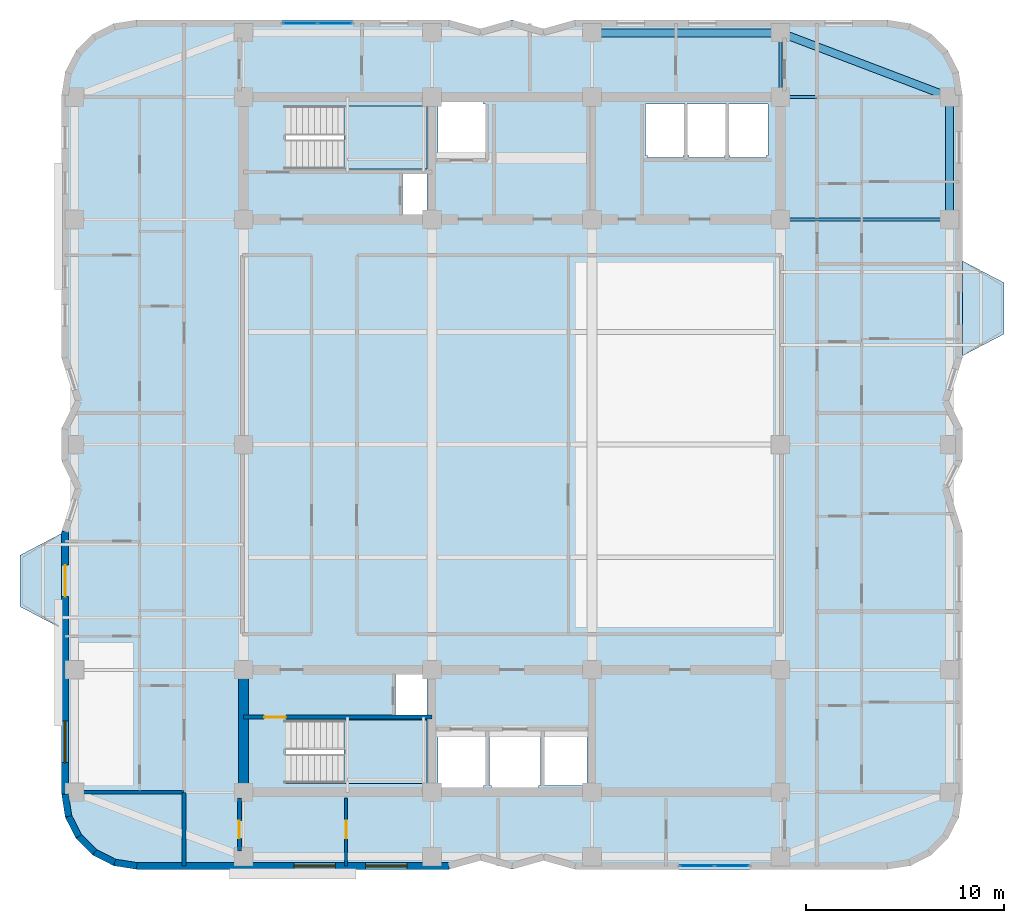
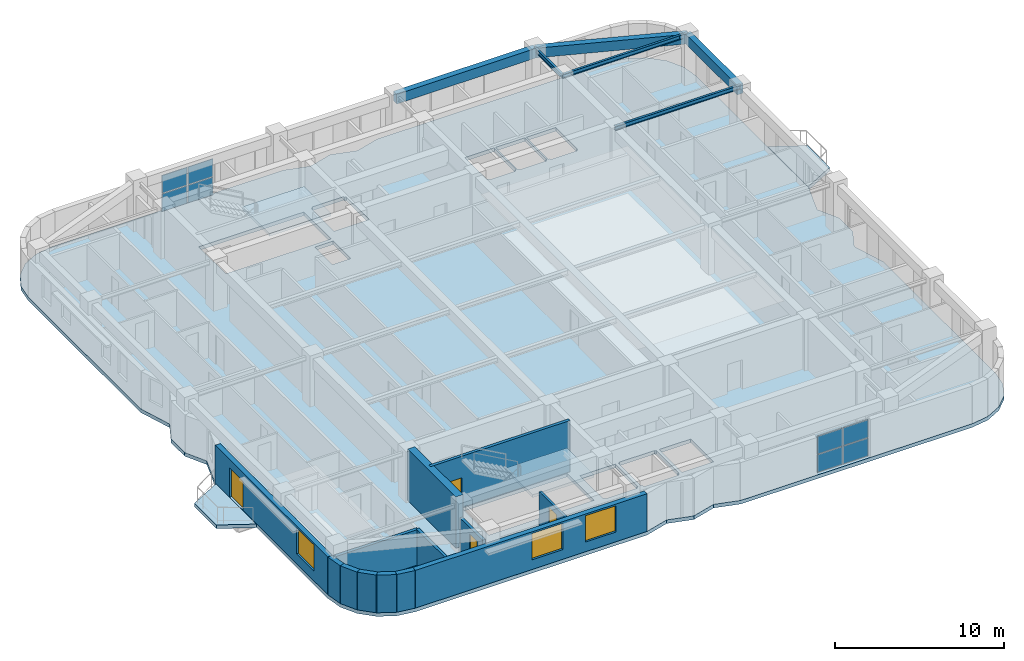
# One storey, part 4 of 12: 13 walls, 8 plates, 6 beams, 5 slabs, 4 doors, 3 windows, 7 openings, 4 elements without a shape of their own.
"""IFC4 building model written with IfcOpenShell, lengths in metres."""

import ifcopenshell
import ifcopenshell.guid

model = None  # the IFC model being written
_history = None  # IfcOwnerHistory: only IFC2X3 demands one
_inside = {}  # id of a spatial element -> (the spatial element, [elements in it])
_under = {}  # id of a project, library or spatial element -> (it, [spatial elements below it])
_declared = {}  # id of a project -> (the project, [libraries it declares])
_typed = {}  # id of a type object -> (the type object, [elements of that type])
_made_of = {}  # id of a material, layer set ... -> (it, [elements and type objects made of it])


def new_model(schema):
    """Start an empty IFC model of exactly this schema.

    Asked for "IFC4X3", IfcOpenShell would pick the latest addendum, in which some entities
    have other attributes; the version numbers below select the first issue.
    IFC2X3 requires an IfcOwnerHistory on every rooted entity: one is made here for all.
    """
    global model, _history
    if schema == "IFC4X3":
        model = ifcopenshell.file(schema_version=(4, 3, 0, 0))
    else:
        model = ifcopenshell.file(schema=schema)
    _inside.clear()
    _under.clear()
    _declared.clear()
    _typed.clear()
    _made_of.clear()
    _history = None
    if model.schema == "IFC2X3":
        org = make("IfcOrganization", Name="unknown")
        user = make(
            "IfcPersonAndOrganization",
            ThePerson=make("IfcPerson", FamilyName="unknown"),
            TheOrganization=org,
        )
        app = make(
            "IfcApplication",
            ApplicationDeveloper=org,
            Version="unknown",
            ApplicationFullName="unknown",
            ApplicationIdentifier="unknown",
        )
        _history = make(
            "IfcOwnerHistory",
            OwningUser=user,
            OwningApplication=app,
            ChangeAction="ADDED",
            CreationDate=0,
        )
    return model


def make(cls, **values):
    """One entity of the class cls with the attributes given. An attribute that is None is left unset."""
    return model.create_entity(
        cls, **{name: value for name, value in values.items() if value is not None}
    )


def rooted(cls, **values):
    """An entity with a GlobalId (a new one), such as an element, a storey or a relation."""
    return make(cls, GlobalId=ifcopenshell.guid.new(), OwnerHistory=_history, **values)


def si_unit(unit_type, name, prefix=None):
    """IfcSIUnit, for example si_unit("LENGTHUNIT", "METRE", prefix="MILLI")."""
    return make("IfcSIUnit", UnitType=unit_type, Prefix=prefix, Name=name)


def assignment(units):
    """IfcUnitAssignment: the units of a project."""
    return None if units is None else make("IfcUnitAssignment", Units=units)


def point(xyz):
    """IfcCartesianPoint."""
    return None if xyz is None else make("IfcCartesianPoint", Coordinates=xyz)


def direction(xyz):
    """IfcDirection."""
    return None if xyz is None else make("IfcDirection", DirectionRatios=xyz)


def frame(location, z_axis=None, x_axis=None):
    """IfcAxis2Placement3D, a coordinate frame: its origin and axes. An axis left out is left unset."""
    return make(
        "IfcAxis2Placement3D",
        Location=point(location),
        Axis=direction(z_axis),
        RefDirection=direction(x_axis),
    )


def frame_2d(location, x_axis=None):
    """IfcAxis2Placement2D, a coordinate frame in the plane: its origin and x axis."""
    return make(
        "IfcAxis2Placement2D", Location=point(location), RefDirection=direction(x_axis)
    )


def origin():
    """The frame at (0, 0, 0) with its axes left unset."""
    return frame((0.0, 0.0, 0.0))


def origin_2d():
    """The frame at (0, 0) in the plane with its x axis left unset."""
    return frame_2d((0.0, 0.0))


def place(relative_to, where):
    """IfcLocalPlacement: puts the frame where relative to a parent placement (None: the world)."""
    return make(
        "IfcLocalPlacement", PlacementRelTo=relative_to, RelativePlacement=where
    )


def context(
    kind, dimensions, precision=None, world=None, true_north=None, identifier=None
):
    """IfcGeometricRepresentationContext, for example the 3D "Model" context."""
    return make(
        "IfcGeometricRepresentationContext",
        ContextIdentifier=identifier,
        ContextType=kind,
        CoordinateSpaceDimension=dimensions,
        Precision=precision,
        WorldCoordinateSystem=world,
        TrueNorth=true_north,
    )


def subcontext(parent, identifier, kind, view, scale=None):
    """IfcGeometricRepresentationSubContext, for example "Body" below "Model"."""
    return make(
        "IfcGeometricRepresentationSubContext",
        ContextIdentifier=identifier,
        ContextType=kind,
        ParentContext=parent,
        TargetScale=scale,
        TargetView=view,
    )


def project(units=None, contexts=None):
    """IfcProject with its units and contexts."""
    return rooted(
        "IfcProject",
        Name="project",
        RepresentationContexts=contexts,
        UnitsInContext=assignment(units),
    )


def spatial(cls, under=None, at=None, **own):
    """A site, building, storey or space (cls), placed at a placement, below another one or the project."""
    s = rooted(cls, ObjectPlacement=at, **own)
    if under is not None:
        _under.setdefault(under.id(), (under, []))[1].append(s)
    return s


def polyline(points):
    """IfcPolyline through the points."""
    return make("IfcPolyline", Points=[point(p) for p in points])


def profile(cls, at=None, kind="AREA", **sizes):
    """A parametric profile (cls). Its sizes go by their IFC names, for example OverallWidth=200.0."""
    return make(cls, ProfileType=kind, Position=at, **sizes)


def rectangle(**sizes):
    """IfcRectangleProfileDef."""
    return profile("IfcRectangleProfileDef", **sizes)


def i_section(**sizes):
    """IfcIShapeProfileDef."""
    return profile("IfcIShapeProfileDef", **sizes)


def outline(outer, holes=None, kind="AREA"):
    """IfcArbitraryClosedProfileDef: a profile drawn as a closed curve; with holes, ...WithVoids."""
    if holes is None:
        return make("IfcArbitraryClosedProfileDef", ProfileType=kind, OuterCurve=outer)
    return make(
        "IfcArbitraryProfileDefWithVoids",
        ProfileType=kind,
        OuterCurve=outer,
        InnerCurves=holes,
    )


def extrude(swept, where, along, depth):
    """IfcExtrudedAreaSolid: the profile swept, set in the frame where, extruded along a direction by depth."""
    return make(
        "IfcExtrudedAreaSolid",
        SweptArea=swept,
        Position=where,
        ExtrudedDirection=direction(along),
        Depth=depth,
    )


def shape(context_of_items, identifier, shape_type, items):
    """IfcShapeRepresentation: the items that make up one representation, for example the "Body"."""
    return make(
        "IfcShapeRepresentation",
        ContextOfItems=context_of_items,
        RepresentationIdentifier=identifier,
        RepresentationType=shape_type,
        Items=items,
    )


def material(Name=None, Category=None):
    """IfcMaterial."""
    return make("IfcMaterial", Name=Name, Category=Category)


def layer(
    of_material, thickness, ventilated=None, Name=None, Category=None, Priority=None
):
    """IfcMaterialLayer: one layer of a wall or slab, of a material (None: an air gap)."""
    return make(
        "IfcMaterialLayer",
        Material=of_material,
        LayerThickness=thickness,
        IsVentilated=ventilated,
        Name=Name,
        Category=Category,
        Priority=Priority,
    )


def layer_set(layers, Name=None):
    """IfcMaterialLayerSet."""
    return make("IfcMaterialLayerSet", MaterialLayers=layers, LayerSetName=Name)


def material_profile(
    of_material, cross_section, Name=None, Category=None, Priority=None
):
    """IfcMaterialProfile: a cross section and its material."""
    return make(
        "IfcMaterialProfile",
        Name=Name,
        Material=of_material,
        Profile=cross_section,
        Priority=Priority,
        Category=Category,
    )


def profile_set(profiles, Name=None, composite=None):
    """IfcMaterialProfileSet."""
    return make(
        "IfcMaterialProfileSet",
        Name=Name,
        MaterialProfiles=profiles,
        CompositeProfile=composite,
    )


def made_of(thing, what):
    """Note that an element or type object is made of a material, layer set ...; save() writes the relation."""
    if what is not None:
        _made_of.setdefault(what.id(), (what, []))[1].append(thing)
    return thing


def type_object(cls, material=None, **own):
    """A type object (cls), such as IfcWallType, which elements share."""
    return made_of(rooted(cls, **own), material)


def element(
    cls,
    number,
    at=None,
    inside=None,
    cuts=None,
    type_object=None,
    material=None,
    context=None,
    identifier="Body",
    shape_type=None,
    held_by="IfcProductDefinitionShape",
    body=None,
    shapes=None,
    **own,
):
    """One element of the class cls, such as IfcWall. Its Tag is "e" and its number.

    at: its placement. inside: the storey or other place that contains it. cuts: it is an
    opening in that element (IfcRelVoidsElement). A single representation is given by context,
    identifier, shape_type and body (its items); several are given by shapes. held_by: the class
    of the entity that holds the representations. save() writes the other relations.
    """
    e = rooted(cls, Tag="e%d" % number, ObjectPlacement=at, **own)
    if body is not None:
        shapes = [shape(context, identifier, shape_type, body)]
    if shapes is not None:
        e.Representation = make(held_by, Representations=shapes)
    if inside is not None:
        _inside.setdefault(inside.id(), (inside, []))[1].append(e)
    if cuts is not None:
        rooted(
            "IfcRelVoidsElement", RelatingBuildingElement=cuts, RelatedOpeningElement=e
        )
    if type_object is not None:
        _typed.setdefault(type_object.id(), (type_object, []))[1].append(e)
    return made_of(e, material)


def fill(opening, filler):
    """IfcRelFillsElement: the door or window that sits in an opening."""
    return rooted(
        "IfcRelFillsElement",
        RelatingOpeningElement=opening,
        RelatedBuildingElement=filler,
    )


def aggregate(whole, parts):
    """IfcRelAggregates: a whole, such as a stair, and the parts it consists of."""
    return rooted("IfcRelAggregates", RelatingObject=whole, RelatedObjects=parts)


def save(model, path):
    """Write the relations noted so far, then the file.

    IfcRelAggregates (storeys below a building ...), IfcRelContainedInSpatialStructure (elements
    in a storey), IfcRelDefinesByType, IfcRelAssociatesMaterial and IfcRelDeclares: one each for
    every whole, place, type object, material and project.
    """
    for whole, parts in _under.values():
        aggregate(whole, parts)
    for where, things in _inside.values():
        rooted(
            "IfcRelContainedInSpatialStructure",
            RelatedElements=things,
            RelatingStructure=where,
        )
    for kind, things in _typed.values():
        rooted("IfcRelDefinesByType", RelatedObjects=things, RelatingType=kind)
    for what, things in _made_of.values():
        rooted("IfcRelAssociatesMaterial", RelatedObjects=things, RelatingMaterial=what)
    for by, libraries in _declared.values():
        rooted("IfcRelDeclares", RelatingContext=by, RelatedDefinitions=libraries)
    model.write(path)


model = new_model("IFC4")

# Units and contexts
model_context = context("Model", 3, precision=1e-05, world=origin(), true_north=direction((0.0, 1.0)))
body_context = subcontext(model_context, "Body", "Model", "MODEL_VIEW")
ifc_project = project(units=[si_unit("LENGTHUNIT", "METRE"), si_unit("AREAUNIT", "SQUARE_METRE"), si_unit("VOLUMEUNIT", "CUBIC_METRE"), si_unit("PLANEANGLEUNIT", "RADIAN"), si_unit("MASSUNIT", "GRAM", prefix="KILO")], contexts=[model_context])

# Site, building, storey
site_placement = place(None, origin())
site = spatial("IfcSite", under=ifc_project, at=site_placement, CompositionType="ELEMENT")
building_placement = place(site_placement, origin())
building = spatial("IfcBuilding", under=site, at=building_placement, Name="Svetorya Sky Lyceum", CompositionType="ELEMENT")
storey_placement = place(building_placement, frame((0.0, 0.0, 177.39990234375)))
storey = spatial("IfcBuildingStorey", under=building, at=storey_placement, Name="L44", CompositionType="ELEMENT", Elevation=177.39990234375)

# Beams
ifc_material_1 = material(Name="Concrete C50/60", Category="concrete")
ifc_material_profile_1 = material_profile(ifc_material_1, rectangle(XDim=0.39990234375, YDim=0.699951171875, at=origin_2d()), Name="RC SPANDREL 400x700")
ifc_profile_set_1 = profile_set([ifc_material_profile_1], Name="Concrete C50/60")
beam_type_1 = type_object("IfcBeamType", Name="BM-SPN-700", PredefinedType="SPANDREL", material=ifc_profile_set_1)
beam_1_placement = place(storey_placement, frame((43.25, 49.050048828125, 3.090087890625), z_axis=(1.0, 0.0, 0.0), x_axis=(0.0, 1.0, 0.0)))
element("IfcBeam", 1, at=beam_1_placement, inside=storey, type_object=beam_type_1, Name="L44 North Spandrel 3", PredefinedType="SPANDREL", context=body_context, shape_type="SweptSolid", body=[
    extrude(rectangle(XDim=0.39990234375, YDim=0.699951171875, at=origin_2d()), origin(), (0.0, 0.0, 1.0), 9.550048828125),
])
beam_2_placement = place(storey_placement, frame((61.35009765625, 45.800048828125, 3.090087890625), z_axis=(-0.934747947367, 0.355311518099, 0.0), x_axis=(-0.355311518099, -0.934747947367, 0.0)))
element("IfcBeam", 2, at=beam_2_placement, inside=storey, type_object=beam_type_1, Name="L44 Corner Spandrel 3", PredefinedType="SPANDREL", context=body_context, shape_type="SweptSolid", body=[
    extrude(rectangle(XDim=0.39990234375, YDim=0.699951171875, at=origin_2d()), origin(), (0.0, 0.0, 1.0), 9.14697265625),
])
beam_3_placement = place(storey_placement, frame((61.35009765625, 39.60009765625, 3.090087890625), z_axis=(0.0, 1.0, 0.0), x_axis=(-1.0, 0.0, 0.0)))
element("IfcBeam", 3, at=beam_3_placement, inside=storey, type_object=beam_type_1, Name="L44 East Spandrel 4", PredefinedType="SPANDREL", context=body_context, shape_type="SweptSolid", body=[
    extrude(rectangle(XDim=0.39990234375, YDim=0.699951171875, at=origin_2d()), origin(), (0.0, 0.0, 1.0), 6.199951171875),
])
ifc_material_2 = material(Name="Steel S355", Category="steel")
ifc_material_profile_2 = material_profile(ifc_material_2, i_section(OverallWidth=0.14990234375, OverallDepth=0.299072265625, WebThickness=0.006591796875, FlangeThickness=0.010498046875, at=origin_2d()), Name="GOST 30B2")
ifc_profile_set_2 = profile_set([ifc_material_profile_2], Name="Steel S355")
beam_type_2 = type_object("IfcBeamType", Name="BM-STL-30B2", PredefinedType="JOIST", material=ifc_profile_set_2)
for number, where, z_axis, x_axis, name in (
    (4, (52.800048828125, 39.60009765625, 3.29052734375), (1.0, 0.0, 0.0), (0.0, 1.0, 0.0), "L44 East Wing Floor Joist E4"),
    (5, (52.800048828125, 45.800048828125, 3.29052734375), (1.0, 0.0, 0.0), (0.0, 1.0, 0.0), "L44 East Wing Floor Joist E5"),
):
    element("IfcBeam", number, at=place(storey_placement, frame(where, z_axis=z_axis, x_axis=x_axis)), inside=storey, type_object=beam_type_2, Name=name, PredefinedType="JOIST", context=body_context, shape_type="SweptSolid", body=[
        extrude(i_section(OverallWidth=0.14990234375, OverallDepth=0.299072265625, WebThickness=0.006591796875, FlangeThickness=0.010498046875, at=origin_2d()), origin(), (0.0, 0.0, 1.0), 8.550048828125),
    ])
beam_4_placement = place(storey_placement, frame((52.800048828125, 45.800048828125, 3.29052734375), z_axis=(0.0, 1.0, 0.0), x_axis=(-1.0, 0.0, 0.0)))
element("IfcBeam", 6, at=beam_4_placement, inside=storey, type_object=beam_type_2, Name="L44 North Bay Floor Girder N4", PredefinedType="JOIST", context=body_context, shape_type="SweptSolid", body=[
    extrude(i_section(OverallWidth=0.14990234375, OverallDepth=0.299072265625, WebThickness=0.006591796875, FlangeThickness=0.010498046875, at=origin_2d()), origin(), (0.0, 0.0, 1.0), 3.25),
])

# Curtain wall, plates
ifc_material_3 = material(Name="Thermally broken anodized aluminium and triple low-E glass", Category="aluminium")
curtain_wall_type = type_object("IfcCurtainWallType", Name="CW3-LOG-RES", PredefinedType="NOTDEFINED", material=ifc_material_3)
curtain_wall_1_placement = place(storey_placement, origin())
curtain_wall_1 = element("IfcCurtainWall", 7, at=curtain_wall_1_placement, inside=storey, type_object=curtain_wall_type, Name="L44 Recessed Loggia Curtain Wall 11", PredefinedType="NOTDEFINED")
ifc_material_4 = material(Name="Triple insulated low-E solar-control glass", Category="glass")
ifc_layer_1 = layer(ifc_material_4, 0.048095703125)
ifc_layer_set_1 = layer_set([ifc_layer_1], Name="Triple insulated low-E solar-control glass")
plate_type = type_object("IfcPlateType", Name="CWP-GLZ-48", PredefinedType="CURTAIN_PANEL", material=ifc_layer_set_1)
plate_1_placement = place(storey_placement, frame((48.566162109375, 6.8701171875, 0.0634765625), z_axis=(0.0, 0.0, 1.0), x_axis=(1.0, 0.0, 0.0)))
plate_1 = element("IfcPlate", 8, at=plate_1_placement, type_object=plate_type, Name="CW-3 panel 1.1", PredefinedType="CURTAIN_PANEL", context=body_context, shape_type="SweptSolid", body=[
    extrude(rectangle(XDim=1.70556640625, YDim=0.048095703125, at=origin_2d()), origin(), (0.0, 0.0, 1.0), 1.265380859375),
])
plate_2_placement = place(storey_placement, frame((48.566162109375, 6.8701171875, 1.39111328125), z_axis=(0.0, 0.0, 1.0), x_axis=(1.0, 0.0, 0.0)))
plate_2 = element("IfcPlate", 9, at=plate_2_placement, type_object=plate_type, Name="CW-3 panel 1.2", PredefinedType="CURTAIN_PANEL", context=body_context, shape_type="SweptSolid", body=[
    extrude(rectangle(XDim=1.70556640625, YDim=0.048095703125, at=origin_2d()), origin(), (0.0, 0.0, 1.0), 1.265380859375),
])
plate_3_placement = place(storey_placement, frame((50.333740234375, 6.8701171875, 0.0634765625), z_axis=(0.0, 0.0, 1.0), x_axis=(1.0, 0.0, 0.0)))
plate_3 = element("IfcPlate", 10, at=plate_3_placement, type_object=plate_type, Name="CW-3 panel 2.1", PredefinedType="CURTAIN_PANEL", context=body_context, shape_type="SweptSolid", body=[
    extrude(rectangle(XDim=1.70556640625, YDim=0.048095703125, at=origin_2d()), origin(), (0.0, 0.0, 1.0), 1.265380859375),
])
plate_4_placement = place(storey_placement, frame((50.333740234375, 6.8701171875, 1.39111328125), z_axis=(0.0, 0.0, 1.0), x_axis=(1.0, 0.0, 0.0)))
plate_4 = element("IfcPlate", 11, at=plate_4_placement, type_object=plate_type, Name="CW-3 panel 2.2", PredefinedType="CURTAIN_PANEL", context=body_context, shape_type="SweptSolid", body=[
    extrude(rectangle(XDim=1.70556640625, YDim=0.048095703125, at=origin_2d()), origin(), (0.0, 0.0, 1.0), 1.265380859375),
])
aggregate(curtain_wall_1, [plate_1, plate_2, plate_3, plate_4])

curtain_wall_2_placement = place(storey_placement, origin())
curtain_wall_2 = element("IfcCurtainWall", 12, at=curtain_wall_2_placement, inside=storey, type_object=curtain_wall_type, Name="L44 Recessed Loggia Curtain Wall 34", PredefinedType="NOTDEFINED")
plate_5_placement = place(storey_placement, frame((30.233642578125, 49.530029296875, 0.0634765625), z_axis=(0.0, 0.0, 1.0), x_axis=(-1.0, 0.0, 0.0)))
plate_5 = element("IfcPlate", 13, at=plate_5_placement, type_object=plate_type, Name="CW-3 panel 1.1", PredefinedType="CURTAIN_PANEL", context=body_context, shape_type="SweptSolid", body=[
    extrude(rectangle(XDim=1.70556640625, YDim=0.048095703125, at=origin_2d()), origin(), (0.0, 0.0, 1.0), 1.265380859375),
])
plate_6_placement = place(storey_placement, frame((30.233642578125, 49.530029296875, 1.39111328125), z_axis=(0.0, 0.0, 1.0), x_axis=(-1.0, 0.0, 0.0)))
plate_6 = element("IfcPlate", 14, at=plate_6_placement, type_object=plate_type, Name="CW-3 panel 1.2", PredefinedType="CURTAIN_PANEL", context=body_context, shape_type="SweptSolid", body=[
    extrude(rectangle(XDim=1.70556640625, YDim=0.048095703125, at=origin_2d()), origin(), (0.0, 0.0, 1.0), 1.265380859375),
])
plate_7_placement = place(storey_placement, frame((28.46630859375, 49.530029296875, 0.0634765625), z_axis=(0.0, 0.0, 1.0), x_axis=(-1.0, 0.0, 0.0)))
plate_7 = element("IfcPlate", 15, at=plate_7_placement, type_object=plate_type, Name="CW-3 panel 2.1", PredefinedType="CURTAIN_PANEL", context=body_context, shape_type="SweptSolid", body=[
    extrude(rectangle(XDim=1.70556640625, YDim=0.048095703125, at=origin_2d()), origin(), (0.0, 0.0, 1.0), 1.265380859375),
])
plate_8_placement = place(storey_placement, frame((28.46630859375, 49.530029296875, 1.39111328125), z_axis=(0.0, 0.0, 1.0), x_axis=(-1.0, 0.0, 0.0)))
plate_8 = element("IfcPlate", 16, at=plate_8_placement, type_object=plate_type, Name="CW-3 panel 2.2", PredefinedType="CURTAIN_PANEL", context=body_context, shape_type="SweptSolid", body=[
    extrude(rectangle(XDim=1.70556640625, YDim=0.048095703125, at=origin_2d()), origin(), (0.0, 0.0, 1.0), 1.265380859375),
])
aggregate(curtain_wall_2, [plate_5, plate_6, plate_7, plate_8])

# Slabs
ifc_material_5 = material(Name="Concrete C40/50", Category="concrete")
ifc_layer_2 = layer(ifc_material_5, 0.260009765625)
ifc_layer_set_2 = layer_set([ifc_layer_2], Name="Concrete C40/50")
slab_type_1 = type_object("IfcSlabType", Name="SL-BAL-260", PredefinedType="FLOOR", material=ifc_layer_set_2)
slab_1_placement = place(storey_placement, frame((0.0, 0.0, -0.260009765625)))
element("IfcSlab", 17, at=slab_1_placement, inside=storey, type_object=slab_type_1, Name="L44 Chamfered Loggia Balcony BAL-W1", PredefinedType="FLOOR", context=body_context, shape_type="SweptSolid", body=[
    extrude(outline(polyline([(16.389892578125, 18.89990234375), (16.389892578125, 23.699951171875), (14.2900390625, 22.60009765625), (14.2900390625, 20.0), (16.389892578125, 18.89990234375)])), origin(), (0.0, 0.0, 1.0), 0.260009765625),
])
slab_2_placement = place(storey_placement, frame((0.0, 0.0, -0.260009765625)))
element("IfcSlab", 18, at=slab_2_placement, inside=storey, type_object=slab_type_1, Name="L44 Chamfered Loggia Balcony BAL-E1", PredefinedType="FLOOR", context=body_context, shape_type="SweptSolid", body=[
    extrude(outline(polyline([(62.010009765625, 32.699951171875), (64.110107421875, 33.800048828125), (64.110107421875, 36.39990234375), (62.010009765625, 37.5), (62.010009765625, 32.699951171875)])), origin(), (0.0, 0.0, 1.0), 0.260009765625),
])

# Stair, slab
stair_type_1 = type_object("IfcStairType", Name="STR-ST-S", PredefinedType="HALF_TURN_STAIR", material=ifc_material_5)
stair_1_placement = place(storey_placement, origin())
stair_1 = element("IfcStair", 19, at=stair_1_placement, inside=storey, type_object=stair_type_1, Name="L44 South Core Smoke-Free Exit Stair N2", PredefinedType="HALF_TURN_STAIR")
ifc_layer_3 = layer(ifc_material_5, 0.199951171875)
ifc_layer_set_3 = layer_set([ifc_layer_3], Name="Concrete C40/50")
slab_type_2 = type_object("IfcSlabType", Name="SL-STR-LAND-200", PredefinedType="LANDING", material=ifc_layer_set_3)
slab_3_placement = place(storey_placement, frame((0.0, 0.0, 1.650146484375)))
slab_3 = element("IfcSlab", 20, at=slab_3_placement, type_object=slab_type_2, Name="ST-S landing 1", PredefinedType="LANDING", context=body_context, shape_type="SweptSolid", body=[
    extrude(outline(polyline([(30.699951171875, 11.050048828125), (34.89990234375, 11.050048828125), (34.89990234375, 14.25), (30.699951171875, 14.25), (30.699951171875, 11.050048828125)])), origin(), (0.0, 0.0, 1.0), 0.199951171875),
])
aggregate(stair_1, [slab_3])

stair_type_2 = type_object("IfcStairType", Name="STR-ST-N", PredefinedType="HALF_TURN_STAIR", material=ifc_material_5)
stair_2_placement = place(storey_placement, origin())
stair_2 = element("IfcStair", 21, at=stair_2_placement, inside=storey, type_object=stair_type_2, Name="L44 North Core Smoke-Free Exit Stair N3", PredefinedType="HALF_TURN_STAIR")
slab_4_placement = place(storey_placement, frame((0.0, 0.0, 1.650146484375)))
slab_4 = element("IfcSlab", 22, at=slab_4_placement, type_object=slab_type_2, Name="ST-N landing 1", PredefinedType="LANDING", context=body_context, shape_type="SweptSolid", body=[
    extrude(outline(polyline([(30.699951171875, 42.14990234375), (34.89990234375, 42.14990234375), (34.89990234375, 45.35009765625), (30.699951171875, 45.35009765625), (30.699951171875, 42.14990234375)])), origin(), (0.0, 0.0, 1.0), 0.199951171875),
])
aggregate(stair_2, [slab_4])

# Slab
ifc_layer_4 = layer(ifc_material_1, 0.260009765625)
ifc_layer_set_4 = layer_set([ifc_layer_4], Name="Concrete C50/60")
slab_type_3 = type_object("IfcSlabType", Name="SL-TWR-260", PredefinedType="FLOOR", material=ifc_layer_set_4)
slab_5_placement = place(storey_placement, frame((0.0, 0.0, -0.260009765625)))
element("IfcSlab", 23, at=slab_5_placement, inside=storey, type_object=slab_type_3, Name="L44 Structural Floor Slab", PredefinedType="FLOOR", context=body_context, shape_type="SweptSolid", body=[
    extrude(outline(polyline([(16.39990234375, 10.5), (16.5859375, 9.32568359375), (17.125732421875, 8.266357421875), (17.96630859375, 7.42578125), (19.025634765625, 6.885986328125), (20.199951171875, 6.699951171875), (36.0, 6.699951171875), (37.60009765625, 7.14990234375), (39.199951171875, 6.699951171875), (40.800048828125, 7.14990234375), (42.39990234375, 6.699951171875), (58.199951171875, 6.699951171875), (59.374267578125, 6.885986328125), (60.43359375, 7.42578125), (61.2744140625, 8.266357421875), (61.81396484375, 9.32568359375), (62.0, 10.5), (62.0, 23.800048828125), (61.300048828125, 26.0), (62.0, 27.39990234375), (62.0, 29.0), (61.300048828125, 30.39990234375), (62.0, 32.60009765625), (62.0, 45.89990234375), (61.81396484375, 47.07421875), (61.2744140625, 48.133544921875), (60.43359375, 48.974365234375), (59.374267578125, 49.513916015625), (58.199951171875, 49.699951171875), (42.39990234375, 49.699951171875), (40.800048828125, 49.25), (39.199951171875, 49.699951171875), (37.60009765625, 49.25), (36.0, 49.699951171875), (20.199951171875, 49.699951171875), (19.025634765625, 49.513916015625), (17.96630859375, 48.974365234375), (17.125732421875, 48.133544921875), (16.5859375, 47.07421875), (16.39990234375, 45.89990234375), (16.39990234375, 32.60009765625), (17.10009765625, 30.39990234375), (16.39990234375, 29.0), (16.39990234375, 27.39990234375), (17.10009765625, 26.0), (16.39990234375, 23.800048828125), (16.39990234375, 10.5)]), holes=[polyline([(37.85009765625, 10.949951171875), (37.75, 10.949951171875), (37.75, 10.85009765625), (35.550048828125, 10.85009765625), (35.550048828125, 10.949951171875), (35.449951171875, 10.949951171875), (35.449951171875, 13.64990234375), (35.550048828125, 13.64990234375), (37.75, 13.64990234375), (37.85009765625, 13.64990234375), (37.85009765625, 10.949951171875)]), polyline([(38.14990234375, 10.800048828125), (38.14990234375, 10.949951171875), (38.050048828125, 10.949951171875), (38.050048828125, 13.64990234375), (38.14990234375, 13.64990234375), (38.14990234375, 13.699951171875), (40.550048828125, 13.699951171875), (40.550048828125, 13.64990234375), (40.64990234375, 13.64990234375), (40.64990234375, 10.949951171875), (40.550048828125, 10.949951171875), (40.550048828125, 10.800048828125), (38.14990234375, 10.800048828125)]), polyline([(27.719970703125, 11.050048828125), (27.719970703125, 14.25), (34.89990234375, 14.25), (34.89990234375, 11.050048828125), (27.719970703125, 11.050048828125)]), polyline([(33.300048828125, 14.52001953125), (33.300048828125, 16.580078125), (34.89990234375, 16.580078125), (34.89990234375, 14.52001953125), (33.300048828125, 14.52001953125)]), polyline([(33.64990234375, 39.820068359375), (33.64990234375, 41.89990234375), (34.89990234375, 41.89990234375), (34.89990234375, 39.820068359375), (33.64990234375, 39.820068359375)]), polyline([(27.719970703125, 42.14990234375), (27.719970703125, 45.35009765625), (34.89990234375, 45.35009765625), (34.89990234375, 42.14990234375), (27.719970703125, 42.14990234375)]), polyline([(37.75, 42.75), (35.550048828125, 42.75), (35.449951171875, 42.75), (35.449951171875, 45.449951171875), (35.550048828125, 45.449951171875), (35.550048828125, 45.550048828125), (37.75, 45.550048828125), (37.75, 45.449951171875), (37.85009765625, 45.449951171875), (37.85009765625, 42.75), (37.75, 42.75)]), polyline([(40.85009765625, 10.949951171875), (40.85009765625, 13.64990234375), (43.0, 13.64990234375), (43.0, 10.949951171875), (40.85009765625, 10.949951171875)]), polyline([(46.050048828125, 42.75), (46.050048828125, 42.85009765625), (45.949951171875, 42.85009765625), (45.949951171875, 45.449951171875), (46.050048828125, 45.449951171875), (47.85009765625, 45.449951171875), (47.949951171875, 45.449951171875), (47.949951171875, 42.85009765625), (47.85009765625, 42.85009765625), (47.85009765625, 42.75), (46.050048828125, 42.75)]), polyline([(50.050048828125, 42.85009765625), (49.949951171875, 42.85009765625), (49.949951171875, 42.75), (48.14990234375, 42.75), (48.14990234375, 42.85009765625), (48.050048828125, 42.85009765625), (48.050048828125, 45.449951171875), (48.14990234375, 45.449951171875), (49.949951171875, 45.449951171875), (50.050048828125, 45.449951171875), (50.050048828125, 42.85009765625)]), polyline([(52.14990234375, 42.85009765625), (52.050048828125, 42.85009765625), (52.050048828125, 42.75), (50.25, 42.75), (50.25, 42.85009765625), (50.14990234375, 42.85009765625), (50.14990234375, 45.449951171875), (50.25, 45.449951171875), (52.050048828125, 45.449951171875), (52.14990234375, 45.449951171875), (52.14990234375, 42.85009765625)])]), origin(), (0.0, 0.0, 1.0), 0.260009765625),
])

# Walls
ifc_layer_5 = layer(ifc_material_1, 0.5)
ifc_layer_set_5 = layer_set([ifc_layer_5], Name="Concrete C50/60")
wall_type_1 = type_object("IfcWallType", Name="WL-CORE-500", PredefinedType="SHEAR", material=ifc_layer_set_5)
wall_1_placement = place(storey_placement, frame((25.60009765625, 10.85009765625, 0.0), z_axis=(0.0, 0.0, 1.0), x_axis=(0.0, 1.0, 0.0)))
element("IfcWall", 24, at=wall_1_placement, inside=storey, type_object=wall_type_1, Name="L44 SC West Core Shear Wall", PredefinedType="SHEAR", context=body_context, shape_type="SweptSolid", body=[
    extrude(rectangle(XDim=5.699951171875, YDim=0.5, at=frame_2d((2.85009765625, 0.0))), origin(), (0.0, 0.0, 1.0), 3.7001953125),
])
ifc_material_6 = material(Name="Putilovo limestone rainscreen on autoclaved cellular masonry", Category="masonry")
ifc_layer_6 = layer(ifc_material_6, 0.340087890625)
ifc_layer_set_6 = layer_set([ifc_layer_6], Name="Putilovo limestone rainscreen on autoclaved cellular masonry")
wall_type_2 = type_object("IfcWallType", Name="WL-EXT-340", PredefinedType="SOLIDWALL", material=ifc_layer_set_6)
wall_2_placement = place(storey_placement, frame((16.570068359375, 10.5, 0.0), z_axis=(0.0, 0.0, 1.0), x_axis=(0.156514556949, -0.987675651954, 0.0)))
element("IfcWall", 25, at=wall_2_placement, inside=storey, type_object=wall_type_2, Name="L44 Limestone Exterior Wall 1M", PredefinedType="SOLIDWALL", context=body_context, shape_type="SweptSolid", body=[
    extrude(rectangle(XDim=1.135498046875, YDim=0.340087890625, at=frame_2d((0.56787109375, 0.0))), origin(), (0.0, 0.0, 1.0), 2.72021484375),
])
for number, where, z_axis, x_axis, name in (
    (26, (16.747802734375, 9.37841796875, 0.0), (0.0, 0.0, 1.0), (0.45373580117, -0.891136253744, 0.0), "L44 Limestone Exterior Wall 2M"),
    (27, (17.26318359375, 8.3662109375, 0.0), (0.0, 0.0, 1.0), (0.707214252388, -0.706999293649, 0.0), "L44 Limestone Exterior Wall 3M"),
    (28, (18.06640625, 7.563232421875, 0.0), (0.0, 0.0, 1.0), (0.891005044957, -0.453993402883, 0.0), "L44 Limestone Exterior Wall 4M"),
):
    element("IfcWall", number, at=place(storey_placement, frame(where, z_axis=z_axis, x_axis=x_axis)), inside=storey, type_object=wall_type_2, Name=name, PredefinedType="SOLIDWALL", context=body_context, shape_type="SweptSolid", body=[
        extrude(rectangle(XDim=1.1357421875, YDim=0.340087890625, at=frame_2d((0.56787109375, 0.0))), origin(), (0.0, 0.0, 1.0), 2.72021484375),
    ])
wall_3_placement = place(storey_placement, frame((19.078369140625, 7.047607421875, 0.0), z_axis=(0.0, 0.0, 1.0), x_axis=(0.987708865555, -0.156304820474, 0.0)))
element("IfcWall", 29, at=wall_3_placement, inside=storey, type_object=wall_type_2, Name="L44 Limestone Exterior Wall 5M", PredefinedType="SOLIDWALL", context=body_context, shape_type="SweptSolid", body=[
    extrude(rectangle(XDim=1.135498046875, YDim=0.340087890625, at=frame_2d((0.56787109375, 0.0))), origin(), (0.0, 0.0, 1.0), 2.72021484375),
])

# Wall, openings, windows
wall_4_placement = place(storey_placement, frame((20.199951171875, 6.8701171875, 0.0), z_axis=(0.0, 0.0, 1.0), x_axis=(1.0, 0.0, 0.0)))
wall_4 = element("IfcWall", 30, at=wall_4_placement, inside=storey, type_object=wall_type_2, Name="L44 Limestone Exterior Wall 6M", PredefinedType="SOLIDWALL", context=body_context, shape_type="SweptSolid", body=[
    extrude(rectangle(XDim=15.800048828125, YDim=0.340087890625, at=frame_2d((7.89990234375, 0.0))), origin(), (0.0, 0.0, 1.0), 2.72021484375),
])
opening_1_placement = place(wall_4_placement, frame((7.96240234375, 0.0, 0.699951171875)))
opening_1 = element("IfcOpeningElement", 31, at=opening_1_placement, cuts=wall_4, Name="Opening W-R0", PredefinedType="OPENING", context=body_context, shape_type="SweptSolid", body=[
    extrude(rectangle(XDim=2.10009765625, YDim=1.89990234375, at=frame_2d((1.050048828125, 0.949951171875))), frame((0.0, 0.179931640625, 0.0), z_axis=(0.0, -1.0, 0.0), x_axis=(1.0, 0.0, 0.0)), (0.0, 0.0, 1.0), 0.360107421875),
])
opening_2_placement = place(wall_4_placement, frame((11.58740234375, 0.0, 0.699951171875)))
opening_2 = element("IfcOpeningElement", 32, at=opening_2_placement, cuts=wall_4, Name="Opening W-R0", PredefinedType="OPENING", context=body_context, shape_type="SweptSolid", body=[
    extrude(rectangle(XDim=2.10009765625, YDim=1.89990234375, at=frame_2d((1.050048828125, 0.949951171875))), frame((0.0, 0.179931640625, 0.0), z_axis=(0.0, -1.0, 0.0), x_axis=(1.0, 0.0, 0.0)), (0.0, 0.0, 1.0), 0.360107421875),
])
ifc_material_7 = material(Name="Thermally broken aluminium frame with triple low-E glazing", Category="aluminium")
window_type = type_object("IfcWindowType", Name="WN-RES-210", PartitioningType="TRIPLE_PANEL_VERTICAL", PredefinedType="WINDOW", material=ifc_material_7)
window_1_placement = place(opening_1_placement, origin())
window_1 = element("IfcWindow", 33, at=window_1_placement, inside=storey, type_object=window_type, Name="L44 Facade Window W-R0.6M.1", OverallHeight=1.89990234375, OverallWidth=2.10009765625, PartitioningType="SINGLE_PANEL", PredefinedType="WINDOW", context=body_context, shape_type="SweptSolid", body=[
    extrude(rectangle(XDim=2.10009765625, YDim=1.89990234375, at=frame_2d((1.050048828125, 0.949951171875))), frame((0.0, 0.030029296875, 0.0), z_axis=(0.0, -1.0, 0.0), x_axis=(1.0, 0.0, 0.0)), (0.0, 0.0, 1.0), 0.06005859375),
])
fill(opening_1, window_1)
window_2_placement = place(opening_2_placement, origin())
window_2 = element("IfcWindow", 34, at=window_2_placement, inside=storey, type_object=window_type, Name="L44 Facade Window W-R0.6M.2", OverallHeight=1.89990234375, OverallWidth=2.10009765625, PartitioningType="SINGLE_PANEL", PredefinedType="WINDOW", context=body_context, shape_type="SweptSolid", body=[
    extrude(rectangle(XDim=2.10009765625, YDim=1.89990234375, at=frame_2d((1.050048828125, 0.949951171875))), frame((0.0, 0.030029296875, 0.0), z_axis=(0.0, -1.0, 0.0), x_axis=(1.0, 0.0, 0.0)), (0.0, 0.0, 1.0), 0.06005859375),
])
fill(opening_2, window_2)

# Wall, openings, door, window
wall_5_placement = place(storey_placement, frame((16.570068359375, 23.800048828125, 0.0), z_axis=(0.0, 0.0, 1.0), x_axis=(0.0, -1.0, 0.0)))
wall_5 = element("IfcWall", 35, at=wall_5_placement, inside=storey, type_object=wall_type_2, Name="L44 Limestone Exterior Wall 46M", PredefinedType="SOLIDWALL", context=body_context, shape_type="SweptSolid", body=[
    extrude(rectangle(XDim=13.300048828125, YDim=0.340087890625, at=frame_2d((6.64990234375, 0.0))), origin(), (0.0, 0.0, 1.0), 2.72021484375),
])
opening_3_placement = place(wall_5_placement, frame((1.699951171875, 0.0, 0.0)))
opening_3 = element("IfcOpeningElement", 36, at=opening_3_placement, cuts=wall_5, Name="Opening D-BL1", PredefinedType="OPENING", context=body_context, shape_type="SweptSolid", body=[
    extrude(rectangle(XDim=1.60009765625, YDim=2.10009765625, at=frame_2d((0.800048828125, 1.050048828125))), frame((0.0, 0.179931640625, 0.0), z_axis=(0.0, -1.0, 0.0), x_axis=(1.0, 0.0, 0.0)), (0.0, 0.0, 1.0), 0.360107421875),
])
opening_4_placement = place(wall_5_placement, frame((9.60009765625, 0.0, 0.699951171875)))
opening_4 = element("IfcOpeningElement", 37, at=opening_4_placement, cuts=wall_5, Name="Opening W-R0", PredefinedType="OPENING", context=body_context, shape_type="SweptSolid", body=[
    extrude(rectangle(XDim=2.10009765625, YDim=1.89990234375, at=frame_2d((1.050048828125, 0.949951171875))), frame((0.0, 0.179931640625, 0.0), z_axis=(0.0, -1.0, 0.0), x_axis=(1.0, 0.0, 0.0)), (0.0, 0.0, 1.0), 0.360107421875),
])
ifc_material_8 = material(Name="Insulated glazed aluminium balcony door", Category="aluminium")
door_type_1 = type_object("IfcDoorType", Name="DR-BAL-1600", OperationType="DOUBLE_DOOR_SINGLE_SWING", PredefinedType="DOOR", material=ifc_material_8)
door_1_placement = place(opening_3_placement, origin())
door_1 = element("IfcDoor", 38, at=door_1_placement, inside=storey, type_object=door_type_1, Name="L44 Balcony BAL-W1 Door", OperationType="DOUBLE_DOOR_SINGLE_SWING", OverallHeight=2.10009765625, OverallWidth=1.60009765625, PredefinedType="DOOR", context=body_context, shape_type="SweptSolid", body=[
    extrude(rectangle(XDim=1.60009765625, YDim=2.10009765625, at=frame_2d((0.800048828125, 1.050048828125))), frame((0.0, 0.02490234375, 0.0), z_axis=(0.0, -1.0, 0.0), x_axis=(1.0, 0.0, 0.0)), (0.0, 0.0, 1.0), 0.050048828125),
])
fill(opening_3, door_1)
window_3_placement = place(opening_4_placement, origin())
window_3 = element("IfcWindow", 39, at=window_3_placement, inside=storey, type_object=window_type, Name="L44 Facade Window W-R0.46M.1", OverallHeight=1.89990234375, OverallWidth=2.10009765625, PartitioningType="SINGLE_PANEL", PredefinedType="WINDOW", context=body_context, shape_type="SweptSolid", body=[
    extrude(rectangle(XDim=2.10009765625, YDim=1.89990234375, at=frame_2d((1.050048828125, 0.949951171875))), frame((0.0, 0.030029296875, 0.0), z_axis=(0.0, -1.0, 0.0), x_axis=(1.0, 0.0, 0.0)), (0.0, 0.0, 1.0), 0.06005859375),
])
fill(opening_4, window_3)

# Wall, opening, door
ifc_material_9 = material(Name="Autoclaved cellular masonry blockwork with acoustic render", Category="masonry")
ifc_layer_7 = layer(ifc_material_9, 0.14990234375)
ifc_layer_set_7 = layer_set([ifc_layer_7], Name="Autoclaved cellular masonry blockwork with acoustic render")
wall_type_3 = type_object("IfcWallType", Name="WL-PART-150", PredefinedType="PARTITIONING", material=ifc_layer_set_7)
wall_6_placement = place(storey_placement, frame((30.800048828125, 6.8701171875, 0.0), z_axis=(0.0, 0.0, 1.0), x_axis=(0.0, 1.0, 0.0)))
wall_6 = element("IfcWall", 40, at=wall_6_placement, inside=storey, type_object=wall_type_3, Name="L44 Interior Partition S4-D1", PredefinedType="PARTITIONING", context=body_context, shape_type="SweptSolid", body=[
    extrude(rectangle(XDim=3.429931640625, YDim=0.14990234375, at=frame_2d((1.71484375, 0.0))), origin(), (0.0, 0.0, 1.0), 2.550048828125),
])
opening_5_placement = place(wall_6_placement, frame((1.39990234375, 0.0, 0.0)))
opening_5 = element("IfcOpeningElement", 41, at=opening_5_placement, cuts=wall_6, Name="Opening D-RM1", PredefinedType="OPENING", context=body_context, shape_type="SweptSolid", body=[
    extrude(rectangle(XDim=0.89990234375, YDim=2.10009765625, at=frame_2d((0.449951171875, 1.050048828125))), frame((0.0, 0.0849609375, 0.0), z_axis=(0.0, -1.0, 0.0), x_axis=(1.0, 0.0, 0.0)), (0.0, 0.0, 1.0), 0.169921875),
])
ifc_material_10 = material(Name="Lacquered birch veneer internal door")
door_type_2 = type_object("IfcDoorType", Name="DR-INT-900", OperationType="SINGLE_SWING_LEFT", PredefinedType="DOOR", material=ifc_material_10)
door_2_placement = place(opening_5_placement, origin())
door_2 = element("IfcDoor", 42, at=door_2_placement, inside=storey, type_object=door_type_2, Name="L44 South Suite Door 1", OperationType="SINGLE_SWING_LEFT", OverallHeight=2.10009765625, OverallWidth=0.89990234375, PredefinedType="DOOR", context=body_context, shape_type="SweptSolid", body=[
    extrude(rectangle(XDim=0.89990234375, YDim=2.10009765625, at=frame_2d((0.449951171875, 1.050048828125))), frame((0.0, 0.02490234375, 0.0), z_axis=(0.0, -1.0, 0.0), x_axis=(1.0, 0.0, 0.0)), (0.0, 0.0, 1.0), 0.050048828125),
])
fill(opening_5, door_2)

# Walls
ifc_material_11 = material(Name="Autoclaved cellular masonry blockwork with gypsum plaster", Category="masonry")
ifc_layer_8 = layer(ifc_material_11, 0.199951171875)
ifc_layer_set_8 = layer_set([ifc_layer_8], Name="Autoclaved cellular masonry blockwork with gypsum plaster")
wall_type_4 = type_object("IfcWallType", Name="WL-PART-200", PredefinedType="PARTITIONING", material=ifc_layer_set_8)
wall_7_placement = place(storey_placement, frame((16.989990234375, 10.60009765625, 0.0), z_axis=(0.0, 0.0, 1.0), x_axis=(1.0, 0.0, 0.0)))
element("IfcWall", 43, at=wall_7_placement, inside=storey, type_object=wall_type_4, Name="L44 Interior Partition W-CAP-S", PredefinedType="PARTITIONING", context=body_context, shape_type="SweptSolid", body=[
    extrude(rectangle(XDim=5.610107421875, YDim=0.199951171875, at=frame_2d((2.80517578125, 0.0))), origin(), (0.0, 0.0, 1.0), 2.550048828125),
])
wall_8_placement = place(storey_placement, frame((22.60009765625, 6.8701171875, 0.0), z_axis=(0.0, 0.0, 1.0), x_axis=(0.0, 1.0, 0.0)))
element("IfcWall", 44, at=wall_8_placement, inside=storey, type_object=wall_type_4, Name="L44 Interior Partition WC-SW-END", PredefinedType="PARTITIONING", context=body_context, shape_type="SweptSolid", body=[
    extrude(rectangle(XDim=3.72998046875, YDim=0.199951171875, at=frame_2d((1.864990234375, 0.0))), origin(), (0.0, 0.0, 1.0), 2.550048828125),
])

# Wall, opening, door
wall_9_placement = place(storey_placement, frame((25.39990234375, 7.6201171875, 0.0), z_axis=(0.0, 0.0, 1.0), x_axis=(0.0, 1.0, 0.0)))
wall_9 = element("IfcWall", 45, at=wall_9_placement, inside=storey, type_object=wall_type_4, Name="L44 Interior Partition S4-EW", PredefinedType="PARTITIONING", context=body_context, shape_type="SweptSolid", body=[
    extrude(rectangle(XDim=2.679931640625, YDim=0.199951171875, at=frame_2d((1.33984375, 0.0))), origin(), (0.0, 0.0, 1.0), 2.550048828125),
])
opening_6_placement = place(wall_9_placement, frame((0.64990234375, 0.0, 0.0)))
opening_6 = element("IfcOpeningElement", 46, at=opening_6_placement, cuts=wall_9, Name="Opening D-RM1", PredefinedType="OPENING", context=body_context, shape_type="SweptSolid", body=[
    extrude(rectangle(XDim=0.89990234375, YDim=2.10009765625, at=frame_2d((0.449951171875, 1.050048828125))), frame((0.0, 0.10986328125, 0.0), z_axis=(0.0, -1.0, 0.0), x_axis=(1.0, 0.0, 0.0)), (0.0, 0.0, 1.0), 0.219970703125),
])
door_3_placement = place(opening_6_placement, origin())
door_3 = element("IfcDoor", 47, at=door_3_placement, inside=storey, type_object=door_type_2, Name="L44 SW Office Door", OperationType="SINGLE_SWING_LEFT", OverallHeight=2.10009765625, OverallWidth=0.89990234375, PredefinedType="DOOR", context=body_context, shape_type="SweptSolid", body=[
    extrude(rectangle(XDim=0.89990234375, YDim=2.10009765625, at=frame_2d((0.449951171875, 1.050048828125))), frame((0.0, 0.02490234375, 0.0), z_axis=(0.0, -1.0, 0.0), x_axis=(1.0, 0.0, 0.0)), (0.0, 0.0, 1.0), 0.050048828125),
])
fill(opening_6, door_3)

ifc_layer_9 = layer(ifc_material_1, 0.199951171875)
ifc_layer_set_9 = layer_set([ifc_layer_9], Name="Concrete C50/60")
wall_type_5 = type_object("IfcWallType", Name="WL-SHW-200", PredefinedType="SHEAR", material=ifc_layer_set_9)
wall_10_placement = place(storey_placement, frame((25.60009765625, 14.39990234375, 0.0), z_axis=(0.0, 0.0, 1.0), x_axis=(1.0, 0.0, 0.0)))
wall_10 = element("IfcWall", 48, at=wall_10_placement, inside=storey, type_object=wall_type_5, Name="L44 Structural Stair Shaft Wall SC-STW", PredefinedType="SHEAR", context=body_context, shape_type="SweptSolid", body=[
    extrude(rectangle(XDim=9.5498046875, YDim=0.199951171875, at=frame_2d((4.77490234375, 0.0))), origin(), (0.0, 0.0, 1.0), 3.7001953125),
])
opening_7_placement = place(wall_10_placement, frame((1.050048828125, 0.0, 0.0)))
opening_7 = element("IfcOpeningElement", 49, at=opening_7_placement, cuts=wall_10, Name="Opening D-ST1", PredefinedType="OPENING", context=body_context, shape_type="SweptSolid", body=[
    extrude(rectangle(XDim=1.10009765625, YDim=2.14990234375, at=frame_2d((0.550048828125, 1.074951171875))), frame((0.0, 0.10986328125, 0.0), z_axis=(0.0, -1.0, 0.0), x_axis=(1.0, 0.0, 0.0)), (0.0, 0.0, 1.0), 0.219970703125),
])
ifc_material_12 = material(Name="Powder-coated insulated galvanized stair fire door")
door_type_3 = type_object("IfcDoorType", Name="DR-FIRE-1100", OperationType="SINGLE_SWING_LEFT", PredefinedType="DOOR", material=ifc_material_12)
door_4_placement = place(opening_7_placement, origin())
door_4 = element("IfcDoor", 50, at=door_4_placement, inside=storey, type_object=door_type_3, Name="L44 Stair ST-S Vestibule Fire Door", OperationType="SINGLE_SWING_LEFT", OverallHeight=2.14990234375, OverallWidth=1.10009765625, PredefinedType="DOOR", context=body_context, shape_type="SweptSolid", body=[
    extrude(rectangle(XDim=1.10009765625, YDim=2.14990234375, at=frame_2d((0.550048828125, 1.074951171875))), frame((0.0, 0.02490234375, 0.0), z_axis=(0.0, -1.0, 0.0), x_axis=(1.0, 0.0, 0.0)), (0.0, 0.0, 1.0), 0.050048828125),
])
fill(opening_7, door_4)

save(model, "model.ifc")
